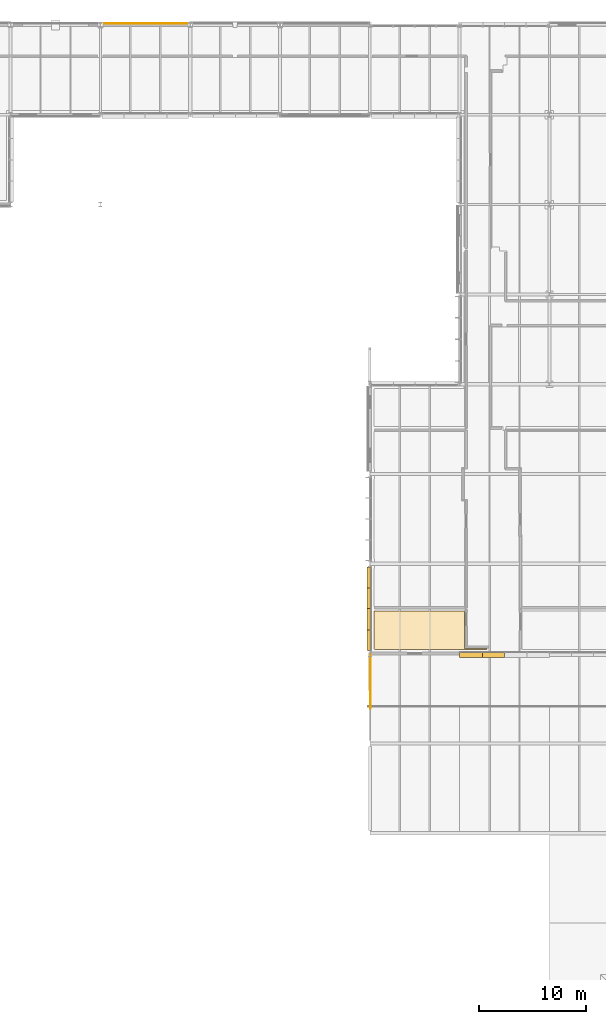
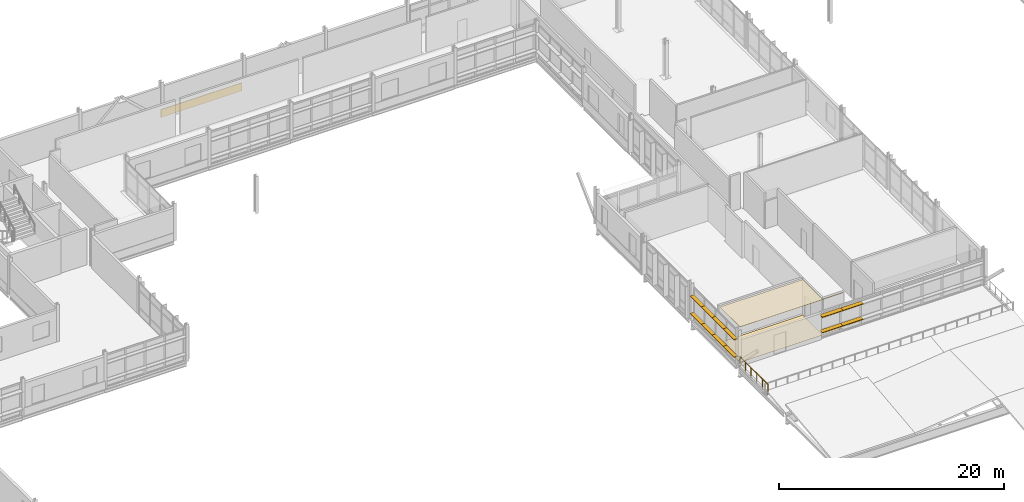
# One storey, part 95 of 103: 12 shading devices, 3 coverings, 1 railing.
"""IFC4 building model written with IfcOpenShell, lengths in metres."""

from ifc_helpers import new_model, si_unit, direction, frame, origin, origin_2d, place, context, subcontext, project, spatial, polyline, rectangle, circle, outline, extrude, material, layer, layer_set, type_object, element, save


model = new_model("IFC4")

# Units and contexts
model_context = context("Model", 3, precision=1e-05, world=origin(), true_north=direction((0.0, 1.0)))
body_context = subcontext(model_context, "Body", "Model", "MODEL_VIEW")
ifc_project = project(units=[si_unit("LENGTHUNIT", "METRE"), si_unit("AREAUNIT", "SQUARE_METRE"), si_unit("VOLUMEUNIT", "CUBIC_METRE"), si_unit("PLANEANGLEUNIT", "RADIAN"), si_unit("MASSUNIT", "GRAM", prefix="KILO")], contexts=[model_context])

# Site, building, storey
site_placement = place(None, origin())
site = spatial("IfcSite", under=ifc_project, at=site_placement, CompositionType="ELEMENT")
building_placement = place(site_placement, origin())
building = spatial("IfcBuilding", under=site, at=building_placement, Name="Mersafa Astral City Hall", CompositionType="ELEMENT")
storey_placement = place(building_placement, frame((0.0, 0.0, 18.0)))
storey = spatial("IfcBuildingStorey", under=building, at=storey_placement, Name="L04", CompositionType="ELEMENT", Elevation=18.0)

# Covering
ifc_material_1 = material(Name="Cairo Mokattam buff limestone cladding", Category="masonry")
ifc_layer_1 = layer(ifc_material_1, 0.06005859375, Name="Cairo Mokattam buff limestone cladding")
ifc_layer_set_1 = layer_set([ifc_layer_1], Name="Cairo Mokattam buff limestone cladding — ENV-COV-LIMESTONE-60")
covering_type_1 = type_object("IfcCoveringType", Name="ENV-COV-LIMESTONE-60", PredefinedType="CLADDING", material=ifc_layer_set_1)
covering_1_placement = place(storey_placement, frame((71.39990234375, 126.14697265625, 0.0), z_axis=(0.0, 0.0, 1.0), x_axis=(-1.0, 0.0, 0.0)))
element("IfcCovering", 1, at=covering_1_placement, inside=storey, type_object=covering_type_1, Name="L04 Cairo buff limestone rainscreen cladding 289", PredefinedType="CLADDING", context=body_context, shape_type="SweptSolid", body=[
    extrude(rectangle(XDim=8.323974609375, YDim=0.06005859375, at=origin_2d()), origin(), (0.0, 0.0, 1.0), 0.860107421875),
])

# Railing
ifc_material_2 = material(Name="Anodised bronze steel balustrade with laminated safety infill", Category="steel")
railing_type = type_object("IfcRailingType", Name="ENV-RAIL-TERRACE-1120", PredefinedType="BALUSTRADE", material=ifc_material_2)
railing_placement = place(storey_placement, frame((92.469970703125, 67.06005859375, 0.0)))
element("IfcRailing", 2, at=railing_placement, inside=storey, type_object=railing_type, Name="L04 Terrace perimeter guard balustrade 9", PredefinedType="BALUSTRADE", context=body_context, shape_type="SweptSolid", body=[
    extrude(circle(Radius=0.02392578125, at=origin_2d()), frame((0.0, 0.0, 1.09619140625), z_axis=(0.0, -1.0, 0.0), x_axis=(1.0, 0.0, 0.0)), (0.0, 0.0, 1.0), 5.0),
    extrude(circle(Radius=0.02099609375, at=origin_2d()), origin(), (0.0, 0.0, 1.0), 1.072021484375),
    extrude(circle(Radius=0.02099609375, at=origin_2d()), frame((0.0, -1.0, 0.0)), (0.0, 0.0, 1.0), 1.072021484375),
    extrude(circle(Radius=0.02099609375, at=origin_2d()), frame((0.0, -2.0, 0.0)), (0.0, 0.0, 1.0), 1.072021484375),
    extrude(circle(Radius=0.02099609375, at=origin_2d()), frame((0.0, -3.0, 0.0)), (0.0, 0.0, 1.0), 1.072021484375),
    extrude(circle(Radius=0.02099609375, at=origin_2d()), frame((0.0, -4.0, 0.0)), (0.0, 0.0, 1.0), 1.072021484375),
    extrude(circle(Radius=0.02099609375, at=origin_2d()), frame((0.0, -5.0, 0.0)), (0.0, 0.0, 1.0), 1.072021484375),
])

# Shading devices
ifc_material_3 = material(Name="Kiln-dried cedar timber brise-soleil blade", Category="wood")
shading_device_type_1 = type_object("IfcShadingDeviceType", Name="ENV-SHD-LOUVRE-380", PredefinedType="JALOUSIE", material=ifc_material_3)
shading_device_1_placement = place(storey_placement, frame((92.320068359375, 74.319580078125, 0.81494140625), z_axis=(0.0, 0.0, 1.0), x_axis=(0.0, -1.0, 0.0)))
element("IfcShadingDevice", 3, at=shading_device_1_placement, inside=storey, type_object=shading_device_type_1, Name="L04 Horizontal cedar brise-soleil louvre 1339", PredefinedType="JALOUSIE", context=body_context, shape_type="SweptSolid", body=[
    extrude(rectangle(XDim=1.966552734375, YDim=0.3798828125, at=origin_2d()), origin(), (0.0, 0.0, 1.0), 0.070068359375),
])
for number, where, z_axis, x_axis, name in (
    (4, (92.320068359375, 72.378173828125, 0.81494140625), (0.0, 0.0, 1.0), (0.0, -1.0, 0.0), "L04 Horizontal cedar brise-soleil louvre 1340"),
    (5, (92.320068359375, 70.421875, 0.81494140625), (0.0, 0.0, 1.0), (0.0, -1.0, 0.0), "L04 Horizontal cedar brise-soleil louvre 1341"),
):
    element("IfcShadingDevice", number, at=place(storey_placement, frame(where, z_axis=z_axis, x_axis=x_axis)), inside=storey, type_object=shading_device_type_1, Name=name, PredefinedType="JALOUSIE", context=body_context, shape_type="SweptSolid", body=[
        extrude(rectangle(XDim=1.99658203125, YDim=0.3798828125, at=origin_2d()), origin(), (0.0, 0.0, 1.0), 0.070068359375),
    ])
for number, where, z_axis, x_axis, name in (
    (6, (92.320068359375, 68.480224609375, 0.81494140625), (0.0, 0.0, 1.0), (0.0, -1.0, 0.0), "L04 Horizontal cedar brise-soleil louvre 1342"),
    (7, (92.320068359375, 74.319580078125, 2.71484375), (0.0, 0.0, 1.0), (0.0, -1.0, 0.0), "L04 Horizontal cedar brise-soleil louvre 1343"),
):
    element("IfcShadingDevice", number, at=place(storey_placement, frame(where, z_axis=z_axis, x_axis=x_axis)), inside=storey, type_object=shading_device_type_1, Name=name, PredefinedType="JALOUSIE", context=body_context, shape_type="SweptSolid", body=[
        extrude(rectangle(XDim=1.966552734375, YDim=0.3798828125, at=origin_2d()), origin(), (0.0, 0.0, 1.0), 0.070068359375),
    ])
for number, where, z_axis, x_axis, name in (
    (8, (92.320068359375, 72.378173828125, 2.71484375), (0.0, 0.0, 1.0), (0.0, -1.0, 0.0), "L04 Horizontal cedar brise-soleil louvre 1344"),
    (9, (92.320068359375, 70.421875, 2.71484375), (0.0, 0.0, 1.0), (0.0, -1.0, 0.0), "L04 Horizontal cedar brise-soleil louvre 1345"),
):
    element("IfcShadingDevice", number, at=place(storey_placement, frame(where, z_axis=z_axis, x_axis=x_axis)), inside=storey, type_object=shading_device_type_1, Name=name, PredefinedType="JALOUSIE", context=body_context, shape_type="SweptSolid", body=[
        extrude(rectangle(XDim=1.99658203125, YDim=0.3798828125, at=origin_2d()), origin(), (0.0, 0.0, 1.0), 0.070068359375),
    ])
shading_device_2_placement = place(storey_placement, frame((92.320068359375, 68.480224609375, 2.71484375), z_axis=(0.0, 0.0, 1.0), x_axis=(0.0, -1.0, 0.0)))
element("IfcShadingDevice", 10, at=shading_device_2_placement, inside=storey, type_object=shading_device_type_1, Name="L04 Horizontal cedar brise-soleil louvre 1346", PredefinedType="JALOUSIE", context=body_context, shape_type="SweptSolid", body=[
    extrude(rectangle(XDim=1.966552734375, YDim=0.3798828125, at=origin_2d()), origin(), (0.0, 0.0, 1.0), 0.070068359375),
])
shading_device_type_2 = type_object("IfcShadingDeviceType", Name="ENV-SHD-LOUVRE-450", PredefinedType="JALOUSIE", material=ifc_material_3)
shading_device_3_placement = place(storey_placement, frame((101.864990234375, 67.0849609375, 0.81005859375), z_axis=(0.0, 0.0, 1.0), x_axis=(1.0, 0.0, 0.0)))
element("IfcShadingDevice", 11, at=shading_device_3_placement, inside=storey, type_object=shading_device_type_2, Name="L04 Horizontal cedar brise-soleil louvre 1347", PredefinedType="JALOUSIE", context=body_context, shape_type="SweptSolid", body=[
    extrude(rectangle(XDim=2.110107421875, YDim=0.449951171875, at=origin_2d()), origin(), (0.0, 0.0, 1.0), 0.080078125),
])
shading_device_4_placement = place(storey_placement, frame((103.949951171875, 67.0849609375, 0.81005859375), z_axis=(0.0, 0.0, 1.0), x_axis=(1.0, 0.0, 0.0)))
element("IfcShadingDevice", 12, at=shading_device_4_placement, inside=storey, type_object=shading_device_type_2, Name="L04 Horizontal cedar brise-soleil louvre 1348", PredefinedType="JALOUSIE", context=body_context, shape_type="SweptSolid", body=[
    extrude(rectangle(XDim=2.139892578125, YDim=0.449951171875, at=origin_2d()), origin(), (0.0, 0.0, 1.0), 0.080078125),
])
shading_device_5_placement = place(storey_placement, frame((101.864990234375, 67.0849609375, 2.47705078125), z_axis=(0.0, 0.0, 1.0), x_axis=(1.0, 0.0, 0.0)))
element("IfcShadingDevice", 13, at=shading_device_5_placement, inside=storey, type_object=shading_device_type_2, Name="L04 Horizontal cedar brise-soleil louvre 1351", PredefinedType="JALOUSIE", context=body_context, shape_type="SweptSolid", body=[
    extrude(rectangle(XDim=2.110107421875, YDim=0.449951171875, at=origin_2d()), origin(), (0.0, 0.0, 1.0), 0.080078125),
])
shading_device_6_placement = place(storey_placement, frame((103.949951171875, 67.0849609375, 2.47705078125), z_axis=(0.0, 0.0, 1.0), x_axis=(1.0, 0.0, 0.0)))
element("IfcShadingDevice", 14, at=shading_device_6_placement, inside=storey, type_object=shading_device_type_2, Name="L04 Horizontal cedar brise-soleil louvre 1352", PredefinedType="JALOUSIE", context=body_context, shape_type="SweptSolid", body=[
    extrude(rectangle(XDim=2.139892578125, YDim=0.449951171875, at=origin_2d()), origin(), (0.0, 0.0, 1.0), 0.080078125),
])

# Coverings
ifc_material_4 = material(Name="Perforated acoustic gypsum board ceiling", Category="gypsum")
ifc_layer_2 = layer(ifc_material_4, 0.02490234375, Name="Perforated acoustic gypsum board ceiling")
ifc_layer_set_2 = layer_set([ifc_layer_2], Name="Perforated acoustic gypsum board ceiling — INT-COV-CEIL-25")
covering_type_2 = type_object("IfcCoveringType", Name="INT-COV-CEIL-25", PredefinedType="CEILING", material=ifc_layer_set_2)
covering_2_placement = place(storey_placement, frame((0.0, 0.0, 3.8310546875)))
element("IfcCovering", 15, at=covering_2_placement, inside=storey, type_object=covering_type_2, Name="L04 Public Works Engineering Office L04-12 acoustic ceiling", PredefinedType="CEILING", context=body_context, shape_type="SweptSolid", body=[
    extrude(outline(polyline([(92.800048828125, 71.169921875), (101.280029296875, 71.169921875), (101.280029296875, 67.679931640625), (103.3798828125, 67.679931640625), (103.3798828125, 67.60009765625), (92.844970703125, 67.60009765625), (92.844970703125, 67.64501953125), (92.800048828125, 67.64501953125), (92.800048828125, 71.169921875)])), origin(), (0.0, 0.0, 1.0), 0.02490234375),
])
ifc_material_5 = material(Name="Heavy-duty woven acoustic carpet tile", Category="finish")
ifc_layer_3 = layer(ifc_material_5, 0.014892578125, Name="Heavy-duty woven acoustic carpet tile")
ifc_layer_set_3 = layer_set([ifc_layer_3], Name="Heavy-duty woven acoustic carpet tile — INT-COV-FLR-15")
covering_type_3 = type_object("IfcCoveringType", Name="INT-COV-FLR-15", PredefinedType="FLOORING", material=ifc_layer_set_3)
covering_3_placement = place(storey_placement, frame((0.0, 0.0, -0.00146484375)))
element("IfcCovering", 16, at=covering_3_placement, inside=storey, type_object=covering_type_3, Name="L04 Public Works Engineering Office L04-12 architectural flooring", PredefinedType="FLOORING", context=body_context, shape_type="SweptSolid", body=[
    extrude(outline(polyline([(92.800048828125, 71.169921875), (101.280029296875, 71.169921875), (101.280029296875, 67.679931640625), (103.3798828125, 67.679931640625), (103.3798828125, 67.60009765625), (92.844970703125, 67.60009765625), (92.844970703125, 67.64501953125), (92.800048828125, 67.64501953125), (92.800048828125, 71.169921875)])), origin(), (0.0, 0.0, 1.0), 0.014892578125),
])

save(model, "model.ifc")
